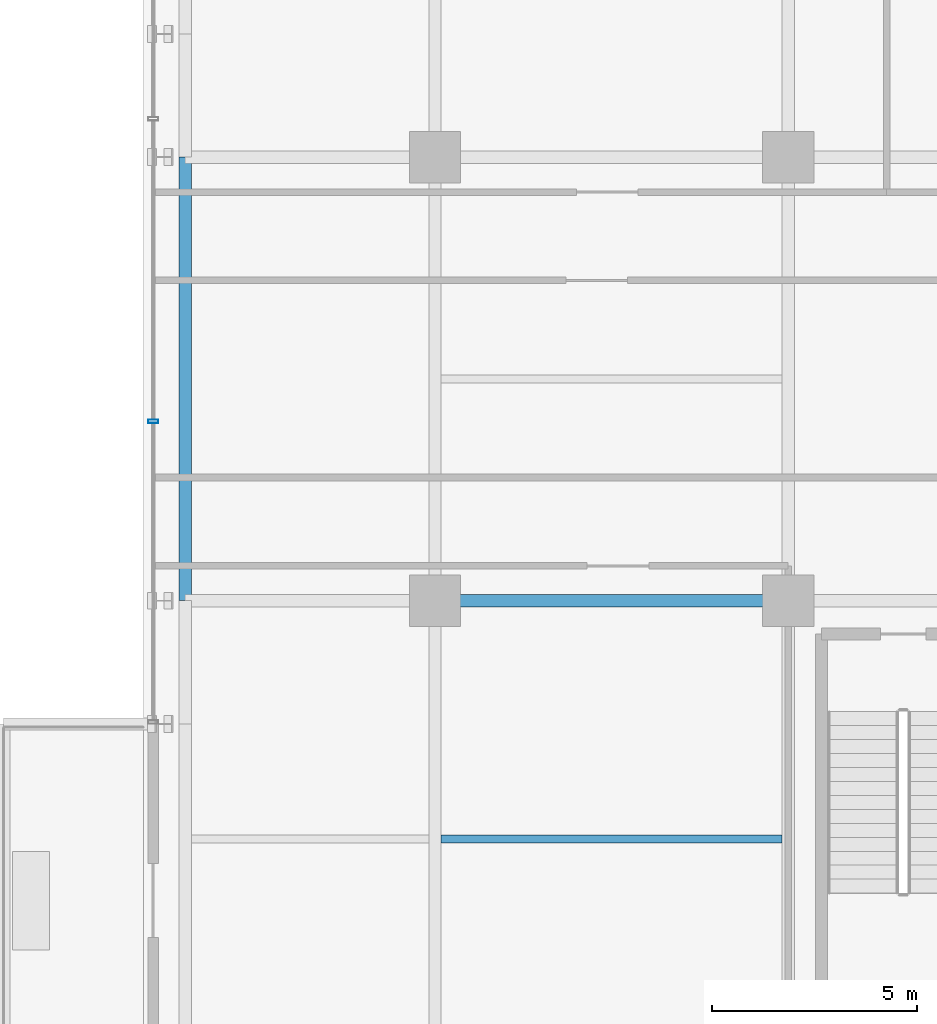
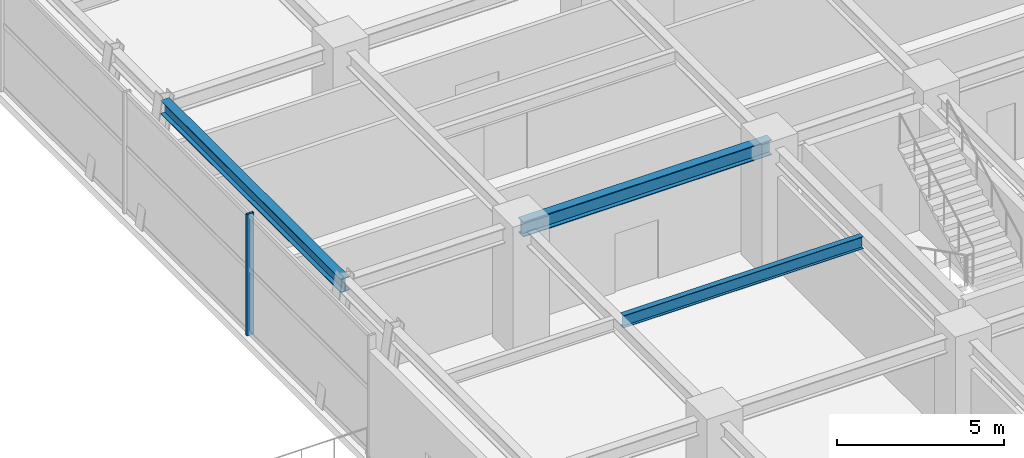
# One storey, part 6 of 26: 3 beams, 1 member, 1 element without a shape of its own.
"""IFC4 building model written with IfcOpenShell, lengths in metres."""

from ifc_helpers import new_model, si_unit, direction, frame, origin, origin_2d, place, context, subcontext, project, spatial, hollow_rectangle, i_section, extrude, source, transform, mapped, material, material_profile, profile_set, type_object, element, aggregate, save


model = new_model("IFC4")

# Units and contexts
model_context = context("Model", 3, precision=1e-05, world=origin(), true_north=direction((0.0, 1.0)))
body_context = subcontext(model_context, "Body", "Model", "MODEL_VIEW")
ifc_project = project(units=[si_unit("LENGTHUNIT", "METRE"), si_unit("AREAUNIT", "SQUARE_METRE"), si_unit("VOLUMEUNIT", "CUBIC_METRE"), si_unit("PLANEANGLEUNIT", "RADIAN"), si_unit("MASSUNIT", "GRAM", prefix="KILO")], contexts=[model_context])

# Site, building, storey
site_placement = place(None, origin())
site = spatial("IfcSite", under=ifc_project, at=site_placement, CompositionType="ELEMENT")
building_placement = place(site_placement, origin())
building = spatial("IfcBuilding", under=site, at=building_placement, Name="Nahalor Promenade Grand Hotel", CompositionType="ELEMENT")
storey_placement = place(building_placement, frame((0.0, 0.0, 139.39990234375)))
storey = spatial("IfcBuildingStorey", under=building, at=storey_placement, Name="L35", CompositionType="ELEMENT", Elevation=139.39990234375)

# Beams
ifc_material_1 = material(Name="Steel S355JR", Category="steel")
ifc_material_profile_1 = material_profile(ifc_material_1, i_section(OverallWidth=0.3, OverallDepth=0.5, WebThickness=0.0145, FlangeThickness=0.028, at=origin_2d()), Name="HEB 500")
ifc_profile_set_1 = profile_set([ifc_material_profile_1], Name="Steel S355JR")
beam_type_1 = type_object("IfcBeamType", Name="Beam-Spandrel-HEB500", PredefinedType="SPANDREL", material=ifc_profile_set_1)
shared_shape_1 = source(origin(), body_context, "Body", "SweptSolid", [
    extrude(i_section(OverallWidth=0.3, OverallDepth=0.5, WebThickness=0.0145, FlangeThickness=0.028, at=origin_2d()), origin(), (0.0, 0.0, 1.0), 10.7998046875),
])
beam_1_placement = place(storey_placement, frame((-23.080078125, -5.39990234375, 4.190185546875), z_axis=(0.0, 1.0, 0.0), x_axis=(-1.0, 0.0, 0.0)))
element("IfcBeam", 1, at=beam_1_placement, inside=storey, type_object=beam_type_1, Name="BM-L35-SP-W-2", PredefinedType="SPANDREL", context=body_context, shape_type="MappedRepresentation", body=[
    mapped(shared_shape_1, transform((0.0, 0.0, 0.0), scale=1.0)),
])
ifc_material_profile_2 = material_profile(ifc_material_1, i_section(OverallWidth=0.3, OverallDepth=0.55, WebThickness=0.015, FlangeThickness=0.029, at=origin_2d()), Name="HEB 550")
ifc_profile_set_2 = profile_set([ifc_material_profile_2], Name="Steel S355JR")
beam_type_2 = type_object("IfcBeamType", Name="Beam-Girder-HEB550", PredefinedType="BEAM", material=ifc_profile_set_2)
shared_shape_2 = source(origin(), body_context, "Body", "SweptSolid", [
    extrude(i_section(OverallWidth=0.3, OverallDepth=0.55, WebThickness=0.015, FlangeThickness=0.029, at=origin_2d()), origin(), (0.0, 0.0, 1.0), 8.60009765625),
])
beam_2_placement = place(storey_placement, frame((-17.0, -5.39990234375, 4.1650390625), z_axis=(1.0, 0.0, 0.0), x_axis=(0.0, 1.0, 0.0)))
element("IfcBeam", 2, at=beam_2_placement, inside=storey, type_object=beam_type_2, Name="BM-L35-GX-1-1", PredefinedType="BEAM", context=body_context, shape_type="MappedRepresentation", body=[
    mapped(shared_shape_2, transform((0.0, 0.0, 0.0), scale=1.0)),
])
ifc_material_profile_3 = material_profile(ifc_material_1, i_section(OverallWidth=0.19, OverallDepth=0.45, WebThickness=0.0094, FlangeThickness=0.0146, at=origin_2d()), Name="IPE 450")
ifc_profile_set_3 = profile_set([ifc_material_profile_3], Name="Steel S355JR")
beam_type_3 = type_object("IfcBeamType", Name="Beam-Joist-IPE450", PredefinedType="JOIST", material=ifc_profile_set_3)
shared_shape_3 = source(origin(), body_context, "Body", "SweptSolid", [
    extrude(i_section(OverallWidth=0.19, OverallDepth=0.45, WebThickness=0.0094, FlangeThickness=0.0146, at=origin_2d()), origin(), (0.0, 0.0, 1.0), 8.300048828125),
])
beam_3_placement = place(storey_placement, frame((-16.85009765625, -11.199951171875, 4.215087890625), z_axis=(1.0, 0.0, 0.0), x_axis=(0.0, 1.0, 0.0)))
element("IfcBeam", 3, at=beam_3_placement, inside=storey, type_object=beam_type_3, Name="BM-L35-JSW-0-1", PredefinedType="JOIST", context=body_context, shape_type="MappedRepresentation", body=[
    mapped(shared_shape_3, transform((0.0, 0.0, 0.0), scale=1.0)),
])

# Curtain wall, member
ifc_material_2 = material(Name="Anodised Bronze Aluminium EN AW-6063 T6", Category="aluminium")
curtain_wall_type = type_object("IfcCurtainWallType", Name="CW5 Sky-Lobby & Observation Panoramic Curtain Wall", PredefinedType="USERDEFINED", material=ifc_material_2)
curtain_wall_placement = place(storey_placement, origin())
curtain_wall = element("IfcCurtainWall", 4, at=curtain_wall_placement, inside=storey, type_object=curtain_wall_type, Name="L35 Curtain Wall CW-L35-W-3", ObjectType="UNITISED_CURTAIN_WALL", PredefinedType="USERDEFINED")
ifc_material_profile_4 = material_profile(ifc_material_2, hollow_rectangle(XDim=0.085, YDim=0.25, WallThickness=0.006, at=origin_2d()), Name="CWM 85x250x6")
ifc_profile_set_4 = profile_set([ifc_material_profile_4], Name="Anodised Bronze Aluminium EN AW-6063 T6")
member_type = type_object("IfcMemberType", Name="CWM5 Panoramic Deep Mullion 85x250", PredefinedType="MULLION", material=ifc_profile_set_4)
shared_shape_4 = source(origin(), body_context, "Body", "SweptSolid", [
    extrude(hollow_rectangle(XDim=0.085, YDim=0.25, WallThickness=0.006, at=origin_2d()), origin(), (0.0, 0.0, 1.0), 4.440185546875),
])
member_placement = place(storey_placement, frame((-23.860107421875, -1.034912109375, 0.0), z_axis=(0.0, 0.0, 1.0), x_axis=(0.0, 1.0, 0.0)))
member = element("IfcMember", 5, at=member_placement, type_object=member_type, Name="CW-L35-W-3 Mullion 1", PredefinedType="MULLION", context=body_context, shape_type="MappedRepresentation", body=[
    mapped(shared_shape_4, transform((0.0, 0.0, 0.0), scale=1.0)),
])
aggregate(curtain_wall, [member])

save(model, "model.ifc")
